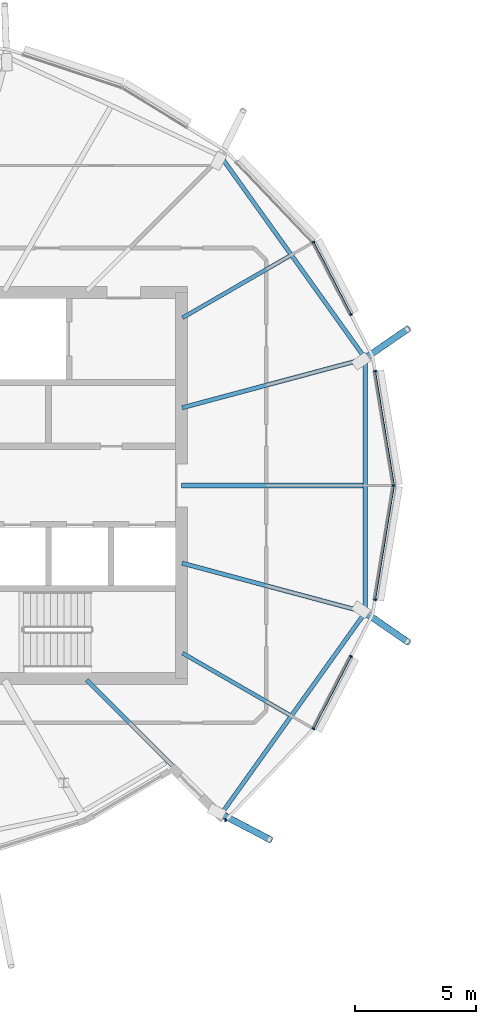
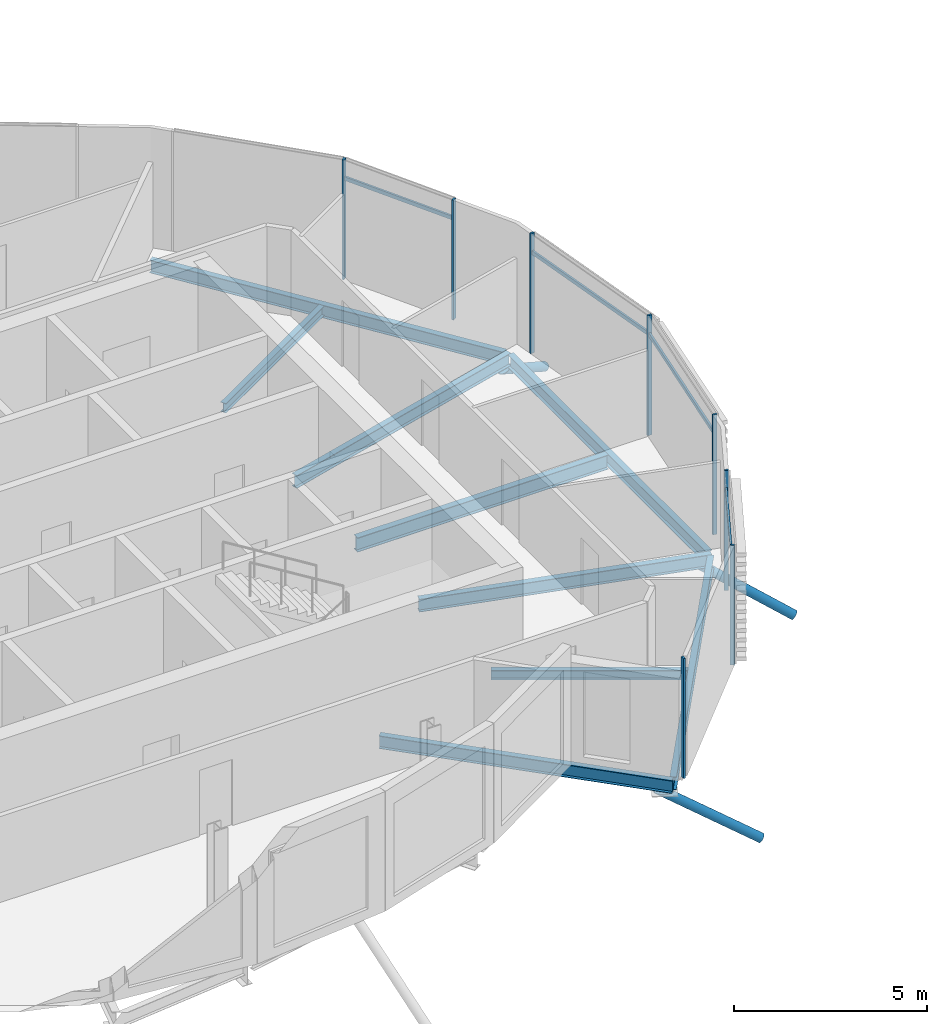
# One storey, part 6 of 35: 15 members, 9 beams, 1 element without a shape of its own.
"""IFC4 building model written with IfcOpenShell, lengths in metres."""

from ifc_helpers import new_model, si_unit, direction, frame, origin, origin_2d, place, context, subcontext, project, spatial, rectangle, hollow_circle, i_section, extrude, clip, halfspace, material, material_profile, profile_set, type_object, element, aggregate, save


model = new_model("IFC4")

# Units and contexts
model_context = context("Model", 3, precision=1e-05, world=origin(), true_north=direction((0.0, 1.0)))
body_context = subcontext(model_context, "Body", "Model", "MODEL_VIEW")
ifc_project = project(units=[si_unit("LENGTHUNIT", "METRE"), si_unit("AREAUNIT", "SQUARE_METRE"), si_unit("VOLUMEUNIT", "CUBIC_METRE"), si_unit("PLANEANGLEUNIT", "RADIAN"), si_unit("MASSUNIT", "GRAM", prefix="KILO")], contexts=[model_context])

# Site, building, storey
site_placement = place(None, origin())
site = spatial("IfcSite", under=ifc_project, at=site_placement, CompositionType="ELEMENT")
building_placement = place(site_placement, origin())
building = spatial("IfcBuilding", under=site, at=building_placement, Name="Rimbun Link Towers", CompositionType="ELEMENT")
storey_placement = place(building_placement, frame((0.0, 0.0, 225.699951171875)))
storey = spatial("IfcBuildingStorey", under=building, at=storey_placement, Name="L55", CompositionType="ELEMENT", Elevation=225.699951171875)

# Curtain wall, members
ifc_material_1 = material(Name="Aluminium 6063-T6 and low-iron glass", Category="aluminium")
curtain_wall_type = type_object("IfcCurtainWallType", Name="CW1-Z4 unitised vision wall (zone 4)", PredefinedType="NOTDEFINED", material=ifc_material_1)
curtain_wall_placement = place(storey_placement, origin())
curtain_wall = element("IfcCurtainWall", 1, at=curtain_wall_placement, inside=storey, type_object=curtain_wall_type, Name="CW1 L55 T1", PredefinedType="NOTDEFINED")
ifc_material_2 = material(Name="Aluminium 6063-T6", Category="aluminium")
ifc_material_profile_1 = material_profile(ifc_material_2, rectangle(XDim=0.1201171875, YDim=0.06005859375, at=origin_2d()), Name="MULLION 60X120")
ifc_profile_set_1 = profile_set([ifc_material_profile_1], Name="Aluminium 6063-T6")
member_type_1 = type_object("IfcMemberType", Name="CW1 mullion 60X120", PredefinedType="MULLION", material=ifc_profile_set_1)
member_1_placement = place(storey_placement, frame((-11.72607421875, 4.740966796875, 0.0), z_axis=(0.0, 0.0, 1.0), x_axis=(0.986747306612, 0.162264453577, 0.0)))
member_1 = element("IfcMember", 2, at=member_1_placement, type_object=member_type_1, Name="CW1 mullion", PredefinedType="MULLION", context=body_context, shape_type="SweptSolid", body=[
    extrude(rectangle(XDim=0.1201171875, YDim=0.06005859375, at=origin_2d()), origin(), (0.0, 0.0, 1.0), 3.800048828125),
])
member_2_placement = place(storey_placement, frame((-10.947265625, 0.0, 0.0), z_axis=(0.0, 0.0, 1.0), x_axis=(1.0, 0.0, 0.0)))
member_2 = element("IfcMember", 3, at=member_2_placement, type_object=member_type_1, Name="CW1 mullion", PredefinedType="MULLION", context=body_context, shape_type="SweptSolid", body=[
    extrude(rectangle(XDim=0.1201171875, YDim=0.06005859375, at=origin_2d()), origin(), (0.0, 0.0, 1.0), 3.800048828125),
])
member_3_placement = place(storey_placement, frame((-14.282958984375, 10.09130859375, 0.0), z_axis=(0.0, 0.0, 1.0), x_axis=(0.813353544339, 0.581769724128, 0.0)))
member_3 = element("IfcMember", 4, at=member_3_placement, type_object=member_type_1, Name="CW1 mullion", PredefinedType="MULLION", context=body_context, shape_type="SweptSolid", body=[
    extrude(rectangle(XDim=0.1201171875, YDim=0.06005859375, at=origin_2d()), origin(), (0.0, 0.0, 1.0), 3.800048828125),
])
member_4_placement = place(storey_placement, frame((-12.7255859375, 7.082763671875, 0.0), z_axis=(0.0, 0.0, 1.0), x_axis=(0.888152943593, 0.459547983117, 0.0)))
member_4 = element("IfcMember", 5, at=member_4_placement, type_object=member_type_1, Name="CW1 mullion", PredefinedType="MULLION", context=body_context, shape_type="SweptSolid", body=[
    extrude(rectangle(XDim=0.1201171875, YDim=0.06005859375, at=origin_2d()), origin(), (0.0, 0.0, 1.0), 3.800048828125),
])
member_5_placement = place(storey_placement, frame((-14.282958984375, -10.09130859375, 0.0), z_axis=(0.0, 0.0, 1.0), x_axis=(0.813353544339, -0.581769724128, 0.0)))
member_5 = element("IfcMember", 6, at=member_5_placement, type_object=member_type_1, Name="CW1 mullion", PredefinedType="MULLION", context=body_context, shape_type="SweptSolid", body=[
    extrude(rectangle(XDim=0.1201171875, YDim=0.06005859375, at=origin_2d()), origin(), (0.0, 0.0, 1.0), 3.800048828125),
])
member_6_placement = place(storey_placement, frame((-17.934326171875, -13.875, 0.0), z_axis=(0.0, 0.0, 1.0), x_axis=(0.010539144017, -0.999944461679, 0.0)))
member_6 = element("IfcMember", 7, at=member_6_placement, type_object=member_type_1, Name="CW1 mullion", PredefinedType="MULLION", context=body_context, shape_type="SweptSolid", body=[
    extrude(rectangle(XDim=0.1201171875, YDim=0.06005859375, at=origin_2d()), origin(), (0.0, 0.0, 1.0), 3.800048828125),
])
member_7_placement = place(storey_placement, frame((-12.7255859375, -7.082763671875, 0.0), z_axis=(0.0, 0.0, 1.0), x_axis=(0.888152943593, -0.459547983117, 0.0)))
member_7 = element("IfcMember", 8, at=member_7_placement, type_object=member_type_1, Name="CW1 mullion", PredefinedType="MULLION", context=body_context, shape_type="SweptSolid", body=[
    extrude(rectangle(XDim=0.1201171875, YDim=0.06005859375, at=origin_2d()), origin(), (0.0, 0.0, 1.0), 3.800048828125),
])
member_8_placement = place(storey_placement, frame((-11.72607421875, -4.740966796875, 0.0), z_axis=(0.0, 0.0, 1.0), x_axis=(0.986747306612, -0.162264453577, 0.0)))
member_8 = element("IfcMember", 9, at=member_8_placement, type_object=member_type_1, Name="CW1 mullion", PredefinedType="MULLION", context=body_context, shape_type="SweptSolid", body=[
    extrude(rectangle(XDim=0.1201171875, YDim=0.06005859375, at=origin_2d()), origin(), (0.0, 0.0, 1.0), 3.800048828125),
])
ifc_material_3 = material(Name="Aluminium 6063-T6", Category="aluminium")
ifc_material_profile_2 = material_profile(ifc_material_3, rectangle(XDim=0.06005859375, YDim=0.1201171875, at=origin_2d()), Name="TRANSOM 60X120")
ifc_profile_set_2 = profile_set([ifc_material_profile_2], Name="Aluminium 6063-T6")
member_type_2 = type_object("IfcMemberType", Name="CW1 transom 60X120", PredefinedType="USERDEFINED", material=ifc_profile_set_2)
member_9_placement = place(storey_placement, frame((-11.72314453125, 4.711181640625, 3.199951171875), z_axis=(0.16226643408, -0.986746980928, 0.0), x_axis=(0.986746980928, 0.16226643408, 0.0)))
member_9 = element("IfcMember", 10, at=member_9_placement, type_object=member_type_2, Name="CW1 transom", ObjectType="TRANSOM", PredefinedType="USERDEFINED", context=body_context, shape_type="SweptSolid", body=[
    extrude(rectangle(XDim=0.06005859375, YDim=0.1201171875, at=origin_2d()), origin(), (0.0, 0.0, 1.0), 4.73486328125),
])
member_10_placement = place(storey_placement, frame((-14.266357421875, 10.056396484375, 3.199951171875), z_axis=(0.45952897717, -0.88816277739, 0.0), x_axis=(0.88816277739, 0.45952897717, 0.0)))
member_10 = element("IfcMember", 11, at=member_10_placement, type_object=member_type_2, Name="CW1 transom", ObjectType="TRANSOM", PredefinedType="USERDEFINED", context=body_context, shape_type="SweptSolid", body=[
    extrude(rectangle(XDim=0.06005859375, YDim=0.1201171875, at=origin_2d()), origin(), (0.0, 0.0, 1.0), 3.31884765625),
])
member_11_placement = place(storey_placement, frame((-12.7412109375, -7.108642578125, 3.199951171875), z_axis=(-0.45952897717, -0.88816277739, 0.0), x_axis=(0.88816277739, -0.45952897717, 0.0)))
member_11 = element("IfcMember", 12, at=member_11_placement, type_object=member_type_2, Name="CW1 transom", ObjectType="TRANSOM", PredefinedType="USERDEFINED", context=body_context, shape_type="SweptSolid", body=[
    extrude(rectangle(XDim=0.06005859375, YDim=0.1201171875, at=origin_2d()), origin(), (0.0, 0.0, 1.0), 3.31884765625),
])
member_12_placement = place(storey_placement, frame((-10.954833984375, -0.0390625, 3.199951171875), z_axis=(-0.16226643408, -0.986746980928, 0.0), x_axis=(0.986746980928, -0.16226643408, 0.0)))
member_12 = element("IfcMember", 13, at=member_12_placement, type_object=member_type_2, Name="CW1 transom", ObjectType="TRANSOM", PredefinedType="USERDEFINED", context=body_context, shape_type="SweptSolid", body=[
    extrude(rectangle(XDim=0.06005859375, YDim=0.1201171875, at=origin_2d()), origin(), (0.0, 0.0, 1.0), 4.73486328125),
])
aggregate(curtain_wall, [member_1, member_2, member_3, member_4, member_5, member_6, member_7, member_8, member_9, member_10, member_11, member_12])

# Members
ifc_material_4 = material(Name="Steel S355J2H", Category="steel")
ifc_material_profile_3 = material_profile(ifc_material_4, hollow_circle(Radius=0.136474609375, WallThickness=0.012451171875, at=origin_2d()), Name="CHS 273x12.5")
ifc_profile_set_3 = profile_set([ifc_material_profile_3], Name="Steel S355J2H")
member_type_3 = type_object("IfcMemberType", Name="Floor edge link CHS 273x12.5", PredefinedType="BRACE", material=ifc_profile_set_3)
member_13_placement = place(storey_placement, frame((-12.17822265625, 5.244140625, -0.6630859375), z_axis=(0.707194342147, 0.486939258804, -0.512607374772), x_axis=(-0.567116400437, 0.823637655984, 0.0)))
element("IfcMember", 14, at=member_13_placement, inside=storey, type_object=member_type_3, Name="Floor edge link T1 L55 01", PredefinedType="BRACE", context=body_context, shape_type="Clipping", body=[
    clip(extrude(hollow_circle(Radius=0.136474609375, WallThickness=0.012451171875, at=origin_2d()), frame((0.0, 0.0, -0.476806640625)), (0.0, 0.0, 1.0), 3.063720703125), halfspace(frame((0.0, 0.0, -0.223876953125), z_axis=(0.0, 0.858623129976, -0.512607374772)), False)),
])
member_14_placement = place(storey_placement, frame((-18.152099609375, -13.597900390625, -0.662841796875), z_axis=(0.757922123536, -0.39658921775, -0.517948884562), x_axis=(0.463623864768, 0.886032116809, 0.0)))
element("IfcMember", 15, at=member_14_placement, inside=storey, type_object=member_type_3, Name="Floor edge link T1 L55 21", PredefinedType="BRACE", context=body_context, shape_type="Clipping", body=[
    clip(extrude(hollow_circle(Radius=0.136474609375, WallThickness=0.012451171875, at=origin_2d()), frame((0.0, 0.0, -0.47021484375)), (0.0, 0.0, 1.0), 3.226318359375), halfspace(frame((0.0, 0.0, -0.220947265625), z_axis=(0.0, 0.855411569352, -0.517948884562)), False)),
])
member_15_placement = place(storey_placement, frame((-12.17822265625, -5.244140625, -0.6630859375), z_axis=(0.707194342147, -0.486939258804, -0.512607374772), x_axis=(0.567116400437, 0.823637655984, 0.0)))
element("IfcMember", 16, at=member_15_placement, inside=storey, type_object=member_type_3, Name="Floor edge link T1 L55 23", PredefinedType="BRACE", context=body_context, shape_type="Clipping", body=[
    clip(extrude(hollow_circle(Radius=0.136474609375, WallThickness=0.012451171875, at=origin_2d()), frame((0.0, 0.0, -0.476806640625)), (0.0, 0.0, 1.0), 3.063720703125), halfspace(frame((0.0, 0.0, -0.223876953125), z_axis=(0.0, 0.858623129976, -0.512607374772)), False)),
])

# Beams
ifc_material_5 = material(Name="Steel S355J2", Category="steel")
ifc_material_profile_4 = material_profile(ifc_material_5, i_section(OverallWidth=0.1650390625, OverallDepth=0.303466796875, WebThickness=0.006103515625, FlangeThickness=0.01025390625, at=origin_2d()), Name="UB 305x165x40")
ifc_profile_set_4 = profile_set([ifc_material_profile_4], Name="Steel S355J2")
beam_type_1 = type_object("IfcBeamType", Name="UB 305x165x40", PredefinedType="BEAM", material=ifc_profile_set_4)
for number, where, z_axis, x_axis, name in (
    (17, (-19.7080078125, 6.952392578125, -0.291748046875), (0.866016235635, 0.500015879365, 0.0), (-0.500015879365, 0.866016235635, 0.0), "Radial beam T1 L55 02"),
    (18, (-19.7080078125, -6.952392578125, -0.291748046875), (0.866016235635, -0.500015879365, 0.0), (0.500015879365, 0.866016235635, 0.0), "Radial beam T1 L55 22"),
):
    element("IfcBeam", number, at=place(storey_placement, frame(where, z_axis=z_axis, x_axis=x_axis)), inside=storey, type_object=beam_type_1, Name=name, PredefinedType="BEAM", context=body_context, shape_type="SweptSolid", body=[
        extrude(i_section(OverallWidth=0.1650390625, OverallDepth=0.303466796875, WebThickness=0.006103515625, FlangeThickness=0.01025390625, at=origin_2d()), origin(), (0.0, 0.0, 1.0), 5.113525390625),
    ])
ifc_material_6 = material(Name="Steel S355J2", Category="steel")
ifc_material_profile_5 = material_profile(ifc_material_6, i_section(OverallWidth=0.177978515625, OverallDepth=0.406494140625, WebThickness=0.0078125, FlangeThickness=0.0126953125, at=origin_2d()), Name="UB 406x178x60")
ifc_profile_set_5 = profile_set([ifc_material_profile_5], Name="Steel S355J2")
beam_type_2 = type_object("IfcBeamType", Name="UB 406x178x60", PredefinedType="BEAM", material=ifc_profile_set_5)
beam_1_placement = place(storey_placement, frame((-19.72607421875, 3.2216796875, -0.34326171875), z_axis=(0.965925602559, 0.258819880071, 0.0), x_axis=(-0.258819880071, 0.965925602559, 0.0)))
element("IfcBeam", 19, at=beam_1_placement, inside=storey, type_object=beam_type_2, Name="Radial beam T1 L55 01", PredefinedType="BEAM", context=body_context, shape_type="SweptSolid", body=[
    extrude(i_section(OverallWidth=0.177978515625, OverallDepth=0.406494140625, WebThickness=0.0078125, FlangeThickness=0.0126953125, at=origin_2d()), origin(), (0.0, 0.0, 1.0), 7.8642578125),
])
beam_2_placement = place(storey_placement, frame((-23.686279296875, -8.063720703125, -0.34326171875), z_axis=(0.707106781187, -0.707106781187, 0.0), x_axis=(0.707106781187, 0.707106781187, 0.0)))
element("IfcBeam", 20, at=beam_2_placement, inside=storey, type_object=beam_type_2, Name="Radial beam T1 L55 21", PredefinedType="BEAM", context=body_context, shape_type="SweptSolid", body=[
    extrude(i_section(OverallWidth=0.177978515625, OverallDepth=0.406494140625, WebThickness=0.0078125, FlangeThickness=0.0126953125, at=origin_2d()), origin(), (0.0, 0.0, 1.0), 7.87646484375),
])
beam_3_placement = place(storey_placement, frame((-19.72607421875, -3.2216796875, -0.34326171875), z_axis=(0.965925602559, -0.258819880071, 0.0), x_axis=(0.258819880071, 0.965925602559, 0.0)))
element("IfcBeam", 21, at=beam_3_placement, inside=storey, type_object=beam_type_2, Name="Radial beam T1 L55 23", PredefinedType="BEAM", context=body_context, shape_type="SweptSolid", body=[
    extrude(i_section(OverallWidth=0.177978515625, OverallDepth=0.406494140625, WebThickness=0.0078125, FlangeThickness=0.0126953125, at=origin_2d()), origin(), (0.0, 0.0, 1.0), 7.8642578125),
])
for number, where, z_axis, x_axis, name in (
    (22, (-12.185791015625, 5.335205078125, -0.34326171875), (-0.581482624507, 0.813558822334, 0.0), (-0.813558822334, -0.581482624507, 0.0), "Edge beam T1 L55 01-03"),
    (23, (-18.063720703125, -13.55908203125, -0.34326171875), (0.581482624507, 0.813558822334, 0.0), (-0.813558822334, 0.581482624507, 0.0), "Edge beam T1 L55 21-23"),
):
    element("IfcBeam", number, at=place(storey_placement, frame(where, z_axis=z_axis, x_axis=x_axis)), inside=storey, type_object=beam_type_2, Name=name, PredefinedType="BEAM", context=body_context, shape_type="SweptSolid", body=[
        extrude(i_section(OverallWidth=0.177978515625, OverallDepth=0.406494140625, WebThickness=0.0078125, FlangeThickness=0.0126953125, at=origin_2d()), origin(), (0.0, 0.0, 1.0), 10.108642578125),
    ])
beam_4_placement = place(storey_placement, frame((-12.1298828125, -5.1640625, -0.34326171875), z_axis=(0.0, 1.0, 0.0), x_axis=(-1.0, 0.0, 0.0)))
element("IfcBeam", 24, at=beam_4_placement, inside=storey, type_object=beam_type_2, Name="Edge beam T1 L55 23-01", PredefinedType="BEAM", context=body_context, shape_type="SweptSolid", body=[
    extrude(i_section(OverallWidth=0.177978515625, OverallDepth=0.406494140625, WebThickness=0.0078125, FlangeThickness=0.0126953125, at=origin_2d()), origin(), (0.0, 0.0, 1.0), 10.328125),
])
ifc_material_7 = material(Name="Steel S355J2", Category="steel")
ifc_material_profile_6 = material_profile(ifc_material_7, i_section(OverallWidth=0.18994140625, OverallDepth=0.453369140625, WebThickness=0.008544921875, FlangeThickness=0.0126953125, at=origin_2d()), Name="UB 457x191x67")
ifc_profile_set_6 = profile_set([ifc_material_profile_6], Name="Steel S355J2")
beam_type_3 = type_object("IfcBeamType", Name="UB 457x191x67", PredefinedType="BEAM", material=ifc_profile_set_6)
beam_5_placement = place(storey_placement, frame((-19.7490234375, 0.0, -0.36669921875), z_axis=(1.0, 0.0, 0.0), x_axis=(0.0, 1.0, 0.0)))
element("IfcBeam", 25, at=beam_5_placement, inside=storey, type_object=beam_type_3, Name="Radial beam T1 L55 00", PredefinedType="BEAM", context=body_context, shape_type="SweptSolid", body=[
    extrude(i_section(OverallWidth=0.18994140625, OverallDepth=0.453369140625, WebThickness=0.008544921875, FlangeThickness=0.0126953125, at=origin_2d()), origin(), (0.0, 0.0, 1.0), 7.529052734375),
])

save(model, "model.ifc")
